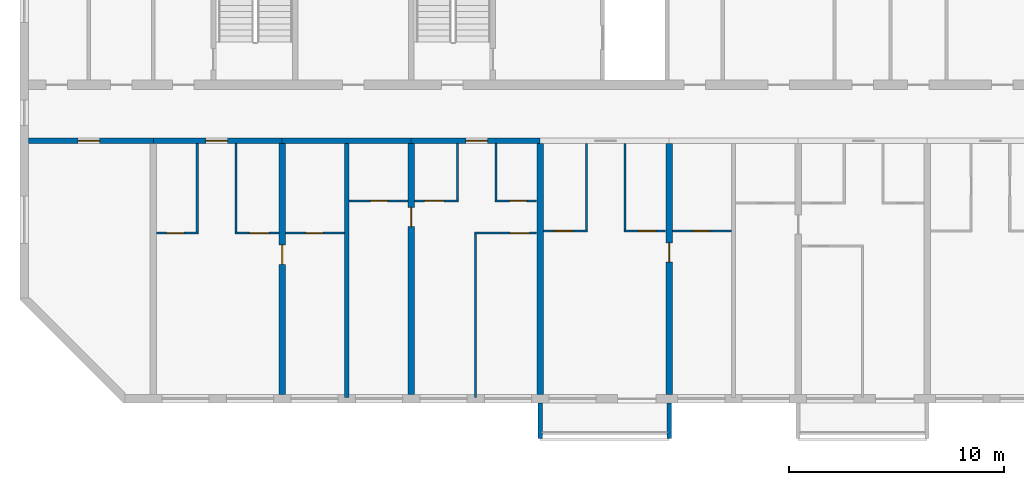
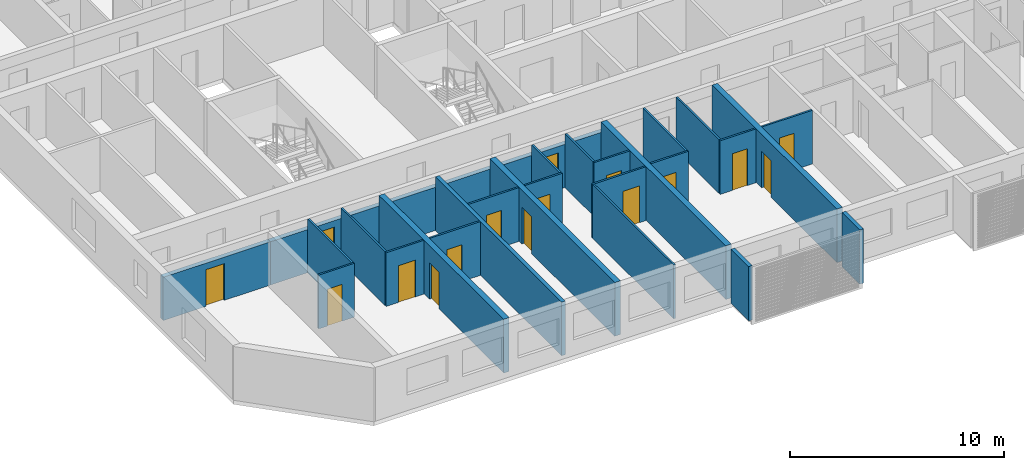
# One storey, part 2 of 32: 28 walls, 16 doors, 16 openings.
"""IFC4 building model written with IfcOpenShell, lengths in metres."""

from ifc_helpers import new_model, si_unit, direction, frame, frame_2d, origin, place, context, subcontext, project, spatial, polyline, rectangle, outline, extrude, source, transform, mapped, material, layer, layer_set, type_object, element, fill, save


model = new_model("IFC4")

# Units and contexts
model_context = context("Model", 3, precision=1e-05, world=origin(), true_north=direction((0.0, 1.0)))
body_context = subcontext(model_context, "Body", "Model", "MODEL_VIEW")
ifc_project = project(units=[si_unit("LENGTHUNIT", "METRE"), si_unit("AREAUNIT", "SQUARE_METRE"), si_unit("VOLUMEUNIT", "CUBIC_METRE"), si_unit("PLANEANGLEUNIT", "RADIAN"), si_unit("MASSUNIT", "GRAM", prefix="KILO")], contexts=[model_context])

# Site, building, storey
site_placement = place(None, origin())
site = spatial("IfcSite", under=ifc_project, at=site_placement, CompositionType="ELEMENT")
building_placement = place(site_placement, origin())
building = spatial("IfcBuilding", under=site, at=building_placement, Name="Poui Terraces", CompositionType="ELEMENT")
storey_placement = place(building_placement, frame((0.0, 0.0, 129.0)))
storey = spatial("IfcBuildingStorey", under=building, at=storey_placement, Name="L35", CompositionType="ELEMENT", Elevation=129.0)

# Wall, opening, door
ifc_material_1 = material(Name="Concrete 65 MPa", Category="concrete")
ifc_layer_1 = layer(ifc_material_1, 0.25)
ifc_layer_set_1 = layer_set([ifc_layer_1], Name="Concrete 65 MPa")
wall_type_1 = type_object("IfcWallType", Name="CORRIDOR WALL 250 65MPa", PredefinedType="SHEAR", material=ifc_layer_set_1)
wall_1_placement = place(storey_placement, frame((12.199951171875, 12.0, 0.0), z_axis=(0.0, 0.0, 1.0), x_axis=(1.0, 0.0, 0.0)))
wall_1 = element("IfcWall", 1, at=wall_1_placement, inside=storey, type_object=wall_type_1, Name="CORRIDOR WALL LINE B BAY 1", PredefinedType="SHEAR", context=body_context, shape_type="SweptSolid", body=[
    extrude(rectangle(XDim=5.800048828125, YDim=0.25, at=frame_2d((2.89990234375, 0.0))), origin(), (0.0, 0.0, 1.0), 2.469970703125),
])
opening_1_placement = place(wall_1_placement, frame((2.300048828125, 0.0, 0.0)))
opening_1 = element("IfcOpeningElement", 2, at=opening_1_placement, cuts=wall_1, Name="Opening D100", PredefinedType="OPENING", context=body_context, shape_type="SweptSolid", body=[
    extrude(rectangle(XDim=1.0, YDim=2.10009765625, at=frame_2d((0.5, 1.050048828125))), frame((0.0, 0.135009765625, 0.0), z_axis=(0.0, -1.0, 0.0), x_axis=(1.0, 0.0, 0.0)), (0.0, 0.0, 1.0), 0.27001953125),
])
ifc_material_2 = material(Name="Solid core timber door", Category="wood")
door_type_1 = type_object("IfcDoorType", Name="ACCESSIBLE INTERNAL DOOR 1000 X 2100", OperationType="NOTDEFINED", PredefinedType="DOOR", material=ifc_material_2)
door_1_placement = place(opening_1_placement, frame((1.0, 0.0, 0.0), z_axis=(0.0, 0.0, 1.0), x_axis=(-1.0, 0.0, 0.0)))
door_1 = element("IfcDoor", 3, at=door_1_placement, inside=storey, type_object=door_type_1, Name="ACCESSIBLE INTERNAL DOOR 078", OperationType="SINGLE_SWING_RIGHT", OverallHeight=2.10009765625, OverallWidth=1.0, PredefinedType="DOOR", context=body_context, shape_type="SweptSolid", body=[
    extrude(rectangle(XDim=1.0, YDim=2.10009765625, at=frame_2d((0.5, 1.050048828125))), frame((0.0, 0.02490234375, 0.0), z_axis=(0.0, -1.0, 0.0), x_axis=(1.0, 0.0, 0.0)), (0.0, 0.0, 1.0), 0.050048828125),
])
fill(opening_1, door_1)

wall_2_placement = place(storey_placement, frame((18.0, 12.0, 0.0), z_axis=(0.0, 0.0, 1.0), x_axis=(1.0, 0.0, 0.0)))
wall_2 = element("IfcWall", 4, at=wall_2_placement, inside=storey, type_object=wall_type_1, Name="CORRIDOR WALL LINE B BAY 2", PredefinedType="SHEAR", context=body_context, shape_type="SweptSolid", body=[
    extrude(rectangle(XDim=6.0, YDim=0.25, at=frame_2d((3.0, 0.0))), origin(), (0.0, 0.0, 1.0), 2.469970703125),
])
opening_2_placement = place(wall_2_placement, frame((2.449951171875, 0.0, 0.0)))
opening_2 = element("IfcOpeningElement", 5, at=opening_2_placement, cuts=wall_2, Name="Opening FD30S", PredefinedType="OPENING", context=body_context, shape_type="SweptSolid", body=[
    extrude(rectangle(XDim=1.0, YDim=2.10009765625, at=frame_2d((0.5, 1.050048828125))), frame((0.0, 0.135009765625, 0.0), z_axis=(0.0, -1.0, 0.0), x_axis=(1.0, 0.0, 0.0)), (0.0, 0.0, 1.0), 0.27001953125),
])
ifc_material_3 = material(Name="Steel fire door", Category="steel")
door_type_2 = type_object("IfcDoorType", Name="FLAT ENTRANCE DOOR 1000 X 2100", OperationType="NOTDEFINED", PredefinedType="DOOR", material=ifc_material_3)
door_2_placement = place(opening_2_placement, frame((1.0, 0.0, 0.0), z_axis=(0.0, 0.0, 1.0), x_axis=(-1.0, 0.0, 0.0)))
door_2 = element("IfcDoor", 6, at=door_2_placement, inside=storey, type_object=door_type_2, Name="FLAT ENTRANCE DOOR 081", OperationType="SINGLE_SWING_RIGHT", OverallHeight=2.10009765625, OverallWidth=1.0, PredefinedType="DOOR", context=body_context, shape_type="SweptSolid", body=[
    extrude(rectangle(XDim=1.0, YDim=2.10009765625, at=frame_2d((0.5, 1.050048828125))), frame((0.0, 0.02490234375, 0.0), z_axis=(0.0, -1.0, 0.0), x_axis=(1.0, 0.0, 0.0)), (0.0, 0.0, 1.0), 0.050048828125),
])
fill(opening_2, door_2)

# Wall
wall_3_placement = place(storey_placement, frame((24.0, 12.0, 0.0), z_axis=(0.0, 0.0, 1.0), x_axis=(1.0, 0.0, 0.0)))
element("IfcWall", 7, at=wall_3_placement, inside=storey, type_object=wall_type_1, Name="CORRIDOR WALL LINE B BAY 3", PredefinedType="SHEAR", context=body_context, shape_type="SweptSolid", body=[
    extrude(rectangle(XDim=6.0, YDim=0.25, at=frame_2d((3.0, 0.0))), origin(), (0.0, 0.0, 1.0), 2.469970703125),
])

# Wall, opening, door
wall_4_placement = place(storey_placement, frame((30.0, 12.0, 0.0), z_axis=(0.0, 0.0, 1.0), x_axis=(1.0, 0.0, 0.0)))
wall_4 = element("IfcWall", 8, at=wall_4_placement, inside=storey, type_object=wall_type_1, Name="CORRIDOR WALL LINE B BAY 4", PredefinedType="SHEAR", context=body_context, shape_type="SweptSolid", body=[
    extrude(rectangle(XDim=6.0, YDim=0.25, at=frame_2d((3.0, 0.0))), origin(), (0.0, 0.0, 1.0), 2.469970703125),
])
opening_3_placement = place(wall_4_placement, frame((2.550048828125, 0.0, 0.0)))
opening_3 = element("IfcOpeningElement", 9, at=opening_3_placement, cuts=wall_4, Name="Opening FD30S", PredefinedType="OPENING", context=body_context, shape_type="SweptSolid", body=[
    extrude(rectangle(XDim=1.0, YDim=2.10009765625, at=frame_2d((0.5, 1.050048828125))), frame((0.0, 0.135009765625, 0.0), z_axis=(0.0, -1.0, 0.0), x_axis=(1.0, 0.0, 0.0)), (0.0, 0.0, 1.0), 0.27001953125),
])
door_3_placement = place(opening_3_placement, frame((1.0, 0.0, 0.0), z_axis=(0.0, 0.0, 1.0), x_axis=(-1.0, 0.0, 0.0)))
door_3 = element("IfcDoor", 10, at=door_3_placement, inside=storey, type_object=door_type_2, Name="FLAT ENTRANCE DOOR 087", OperationType="SINGLE_SWING_LEFT", OverallHeight=2.10009765625, OverallWidth=1.0, PredefinedType="DOOR", context=body_context, shape_type="SweptSolid", body=[
    extrude(rectangle(XDim=1.0, YDim=2.10009765625, at=frame_2d((0.5, 1.050048828125))), frame((0.0, 0.02490234375, 0.0), z_axis=(0.0, -1.0, 0.0), x_axis=(1.0, 0.0, 0.0)), (0.0, 0.0, 1.0), 0.050048828125),
])
fill(opening_3, door_3)

ifc_layer_2 = layer(ifc_material_1, 0.300048828125)
ifc_layer_set_2 = layer_set([ifc_layer_2], Name="Concrete 65 MPa")
wall_type_2 = type_object("IfcWallType", Name="CROSS WALL 300 65MPa", PredefinedType="SHEAR", material=ifc_layer_set_2)
wall_5_placement = place(storey_placement, frame((24.0, 0.199951171875, 0.0), z_axis=(0.0, 0.0, 1.0), x_axis=(0.0, 1.0, 0.0)))
wall_5 = element("IfcWall", 11, at=wall_5_placement, inside=storey, type_object=wall_type_2, Name="CROSS WALL LINE 5 SOUTH", PredefinedType="SHEAR", context=body_context, shape_type="SweptSolid", body=[
    extrude(rectangle(XDim=11.675048828125, YDim=0.300048828125, at=frame_2d((5.83740234375, 0.0))), origin(), (0.0, 0.0, 1.0), 3.070068359375),
])
opening_4_placement = place(wall_5_placement, frame((6.050048828125, 0.0, 0.0)))
opening_4 = element("IfcOpeningElement", 12, at=opening_4_placement, cuts=wall_5, Name="Opening D90", PredefinedType="OPENING", context=body_context, shape_type="SweptSolid", body=[
    extrude(rectangle(XDim=0.89990234375, YDim=2.10009765625, at=frame_2d((0.449951171875, 1.050048828125))), frame((0.0, 0.16015625, 0.0), z_axis=(0.0, -1.0, 0.0), x_axis=(1.0, 0.0, 0.0)), (0.0, 0.0, 1.0), 0.320068359375),
])
door_type_3 = type_object("IfcDoorType", Name="INTERNAL DOOR 900 X 2100", OperationType="NOTDEFINED", PredefinedType="DOOR", material=ifc_material_2)
door_4_placement = place(opening_4_placement, frame((0.89990234375, 0.0, 0.0), z_axis=(0.0, 0.0, 1.0), x_axis=(-1.0, 0.0, 0.0)))
door_4 = element("IfcDoor", 13, at=door_4_placement, inside=storey, type_object=door_type_3, Name="INTERNAL DOOR 083", OperationType="SINGLE_SWING_LEFT", OverallHeight=2.10009765625, OverallWidth=0.89990234375, PredefinedType="DOOR", context=body_context, shape_type="SweptSolid", body=[
    extrude(rectangle(XDim=0.89990234375, YDim=2.10009765625, at=frame_2d((0.449951171875, 1.050048828125))), frame((0.0, 0.02490234375, 0.0), z_axis=(0.0, -1.0, 0.0), x_axis=(1.0, 0.0, 0.0)), (0.0, 0.0, 1.0), 0.050048828125),
])
fill(opening_4, door_4)

wall_6_placement = place(storey_placement, frame((30.0, 0.199951171875, 0.0), z_axis=(0.0, 0.0, 1.0), x_axis=(0.0, 1.0, 0.0)))
wall_6 = element("IfcWall", 14, at=wall_6_placement, inside=storey, type_object=wall_type_2, Name="CROSS WALL LINE 6 SOUTH", PredefinedType="SHEAR", context=body_context, shape_type="SweptSolid", body=[
    extrude(rectangle(XDim=11.675048828125, YDim=0.300048828125, at=frame_2d((5.83740234375, 0.0))), origin(), (0.0, 0.0, 1.0), 3.070068359375),
])
opening_5_placement = place(wall_6_placement, frame((7.800048828125, 0.0, 0.0)))
opening_5 = element("IfcOpeningElement", 15, at=opening_5_placement, cuts=wall_6, Name="Opening D90", PredefinedType="OPENING", context=body_context, shape_type="SweptSolid", body=[
    extrude(rectangle(XDim=0.89990234375, YDim=2.10009765625, at=frame_2d((0.449951171875, 1.050048828125))), frame((0.0, 0.16015625, 0.0), z_axis=(0.0, -1.0, 0.0), x_axis=(1.0, 0.0, 0.0)), (0.0, 0.0, 1.0), 0.320068359375),
])
door_5_placement = place(opening_5_placement, origin())
door_5 = element("IfcDoor", 16, at=door_5_placement, inside=storey, type_object=door_type_3, Name="INTERNAL DOOR 085", OperationType="SINGLE_SWING_RIGHT", OverallHeight=2.10009765625, OverallWidth=0.89990234375, PredefinedType="DOOR", context=body_context, shape_type="SweptSolid", body=[
    extrude(rectangle(XDim=0.89990234375, YDim=2.10009765625, at=frame_2d((0.449951171875, 1.050048828125))), frame((0.0, 0.02490234375, 0.0), z_axis=(0.0, -1.0, 0.0), x_axis=(1.0, 0.0, 0.0)), (0.0, 0.0, 1.0), 0.050048828125),
])
fill(opening_5, door_5)

# Wall
wall_7_placement = place(storey_placement, frame((36.0, 0.199951171875, 0.0), z_axis=(0.0, 0.0, 1.0), x_axis=(0.0, 1.0, 0.0)))
element("IfcWall", 17, at=wall_7_placement, inside=storey, type_object=wall_type_2, Name="CROSS WALL LINE 7 SOUTH", PredefinedType="SHEAR", context=body_context, shape_type="SweptSolid", body=[
    extrude(rectangle(XDim=11.675048828125, YDim=0.300048828125, at=frame_2d((5.83740234375, 0.0))), origin(), (0.0, 0.0, 1.0), 3.070068359375),
])

# Wall, opening, door
wall_8_placement = place(storey_placement, frame((42.0, 0.199951171875, 0.0), z_axis=(0.0, 0.0, 1.0), x_axis=(0.0, 1.0, 0.0)))
wall_8 = element("IfcWall", 18, at=wall_8_placement, inside=storey, type_object=wall_type_2, Name="CROSS WALL LINE 8 SOUTH", PredefinedType="SHEAR", context=body_context, shape_type="SweptSolid", body=[
    extrude(rectangle(XDim=11.675048828125, YDim=0.300048828125, at=frame_2d((5.83740234375, 0.0))), origin(), (0.0, 0.0, 1.0), 3.070068359375),
])
opening_6_placement = place(wall_8_placement, frame((6.14990234375, 0.0, 0.0)))
opening_6 = element("IfcOpeningElement", 19, at=opening_6_placement, cuts=wall_8, Name="Opening D90", PredefinedType="OPENING", context=body_context, shape_type="SweptSolid", body=[
    extrude(rectangle(XDim=0.89990234375, YDim=2.10009765625, at=frame_2d((0.449951171875, 1.050048828125))), frame((0.0, 0.16015625, 0.0), z_axis=(0.0, -1.0, 0.0), x_axis=(1.0, 0.0, 0.0)), (0.0, 0.0, 1.0), 0.320068359375),
])
door_6_placement = place(opening_6_placement, frame((0.89990234375, 0.0, 0.0), z_axis=(0.0, 0.0, 1.0), x_axis=(-1.0, 0.0, 0.0)))
door_6 = element("IfcDoor", 20, at=door_6_placement, inside=storey, type_object=door_type_3, Name="INTERNAL DOOR 094", OperationType="SINGLE_SWING_LEFT", OverallHeight=2.10009765625, OverallWidth=0.89990234375, PredefinedType="DOOR", context=body_context, shape_type="SweptSolid", body=[
    extrude(rectangle(XDim=0.89990234375, YDim=2.10009765625, at=frame_2d((0.449951171875, 1.050048828125))), frame((0.0, 0.02490234375, 0.0), z_axis=(0.0, -1.0, 0.0), x_axis=(1.0, 0.0, 0.0)), (0.0, 0.0, 1.0), 0.050048828125),
])
fill(opening_6, door_6)

ifc_material_4 = material(Name="Plasterboard partition")
ifc_layer_3 = layer(ifc_material_4, 0.10009765625)
ifc_layer_set_3 = layer_set([ifc_layer_3], Name="Plasterboard partition")
wall_type_3 = type_object("IfcWallType", Name="FLAT PARTITION 100", PredefinedType="PARTITIONING", material=ifc_layer_set_3)
wall_9_placement = place(storey_placement, frame((18.159912109375, 7.699951171875, 0.0), z_axis=(0.0, 0.0, 1.0), x_axis=(1.0, 0.0, 0.0)))
wall_9 = element("IfcWall", 21, at=wall_9_placement, inside=storey, type_object=wall_type_3, Name="FLAT PARTITION 100", PredefinedType="PARTITIONING", context=body_context, shape_type="SweptSolid", body=[
    extrude(rectangle(XDim=1.940185546875, YDim=0.10009765625, at=frame_2d((0.97021484375, 0.0))), origin(), (0.0, 0.0, 1.0), 3.070068359375),
])
opening_7_placement = place(wall_9_placement, frame((0.465087890625, 0.0, 0.0)))
opening_7 = element("IfcOpeningElement", 22, at=opening_7_placement, cuts=wall_9, Name="Opening D80", PredefinedType="OPENING", context=body_context, shape_type="SweptSolid", body=[
    extrude(rectangle(XDim=0.800048828125, YDim=2.10009765625, at=frame_2d((0.39990234375, 1.050048828125))), frame((0.0, 0.06005859375, 0.0), z_axis=(0.0, -1.0, 0.0), x_axis=(1.0, 0.0, 0.0)), (0.0, 0.0, 1.0), 0.1201171875),
])
door_type_4 = type_object("IfcDoorType", Name="BATHROOM, LAUNDRY AND STORE DOOR 800 X 2100", OperationType="NOTDEFINED", PredefinedType="DOOR", material=ifc_material_2)
door_7_placement = place(opening_7_placement, origin())
door_7 = element("IfcDoor", 23, at=door_7_placement, inside=storey, type_object=door_type_4, Name="BATHROOM, LAUNDRY AND STORE DOOR 080", OperationType="SINGLE_SWING_LEFT", OverallHeight=2.10009765625, OverallWidth=0.800048828125, PredefinedType="DOOR", context=body_context, shape_type="SweptSolid", body=[
    extrude(rectangle(XDim=0.800048828125, YDim=2.10009765625, at=frame_2d((0.39990234375, 1.050048828125))), frame((0.0, 0.02490234375, 0.0), z_axis=(0.0, -1.0, 0.0), x_axis=(1.0, 0.0, 0.0)), (0.0, 0.0, 1.0), 0.050048828125),
])
fill(opening_7, door_7)

wall_10_placement = place(storey_placement, frame((21.800048828125, 7.699951171875, 0.0), z_axis=(0.0, 0.0, 1.0), x_axis=(1.0, 0.0, 0.0)))
wall_10 = element("IfcWall", 24, at=wall_10_placement, inside=storey, type_object=wall_type_3, Name="FLAT PARTITION 100", PredefinedType="PARTITIONING", context=body_context, shape_type="SweptSolid", body=[
    extrude(rectangle(XDim=2.0400390625, YDim=0.10009765625, at=frame_2d((1.02001953125, 0.0))), origin(), (0.0, 0.0, 1.0), 3.070068359375),
])
opening_8_placement = place(wall_10_placement, frame((0.675048828125, 0.0, 0.0)))
opening_8 = element("IfcOpeningElement", 25, at=opening_8_placement, cuts=wall_10, Name="Opening D90", PredefinedType="OPENING", context=body_context, shape_type="SweptSolid", body=[
    extrude(rectangle(XDim=0.89990234375, YDim=2.10009765625, at=frame_2d((0.449951171875, 1.050048828125))), frame((0.0, 0.06005859375, 0.0), z_axis=(0.0, -1.0, 0.0), x_axis=(1.0, 0.0, 0.0)), (0.0, 0.0, 1.0), 0.1201171875),
])
door_8_placement = place(opening_8_placement, origin())
door_8 = element("IfcDoor", 26, at=door_8_placement, inside=storey, type_object=door_type_3, Name="INTERNAL DOOR 082", OperationType="SINGLE_SWING_RIGHT", OverallHeight=2.10009765625, OverallWidth=0.89990234375, PredefinedType="DOOR", context=body_context, shape_type="SweptSolid", body=[
    extrude(rectangle(XDim=0.89990234375, YDim=2.10009765625, at=frame_2d((0.449951171875, 1.050048828125))), frame((0.0, 0.02490234375, 0.0), z_axis=(0.0, -1.0, 0.0), x_axis=(1.0, 0.0, 0.0)), (0.0, 0.0, 1.0), 0.050048828125),
])
fill(opening_8, door_8)

wall_11_placement = place(storey_placement, frame((24.159912109375, 7.699951171875, 0.0), z_axis=(0.0, 0.0, 1.0), x_axis=(1.0, 0.0, 0.0)))
wall_11 = element("IfcWall", 27, at=wall_11_placement, inside=storey, type_object=wall_type_3, Name="FLAT PARTITION 100", PredefinedType="PARTITIONING", context=body_context, shape_type="SweptSolid", body=[
    extrude(rectangle(XDim=2.739990234375, YDim=0.10009765625, at=frame_2d((1.3701171875, 0.0))), origin(), (0.0, 0.0, 1.0), 3.070068359375),
])
opening_9_placement = place(wall_11_placement, frame((0.93994140625, 0.0, 0.0)))
opening_9 = element("IfcOpeningElement", 28, at=opening_9_placement, cuts=wall_11, Name="Opening D80", PredefinedType="OPENING", context=body_context, shape_type="SweptSolid", body=[
    extrude(rectangle(XDim=0.800048828125, YDim=2.10009765625, at=frame_2d((0.39990234375, 1.050048828125))), frame((0.0, 0.06005859375, 0.0), z_axis=(0.0, -1.0, 0.0), x_axis=(1.0, 0.0, 0.0)), (0.0, 0.0, 1.0), 0.1201171875),
])
door_9_placement = place(opening_9_placement, origin())
door_9 = element("IfcDoor", 29, at=door_9_placement, inside=storey, type_object=door_type_4, Name="BATHROOM, LAUNDRY AND STORE DOOR 079", OperationType="SINGLE_SWING_RIGHT", OverallHeight=2.10009765625, OverallWidth=0.800048828125, PredefinedType="DOOR", context=body_context, shape_type="SweptSolid", body=[
    extrude(rectangle(XDim=0.800048828125, YDim=2.10009765625, at=frame_2d((0.39990234375, 1.050048828125))), frame((0.0, 0.02490234375, 0.0), z_axis=(0.0, -1.0, 0.0), x_axis=(1.0, 0.0, 0.0)), (0.0, 0.0, 1.0), 0.050048828125),
])
fill(opening_9, door_9)

wall_12_placement = place(storey_placement, frame((32.949951171875, 7.699951171875, 0.0), z_axis=(0.0, 0.0, 1.0), x_axis=(1.0, 0.0, 0.0)))
wall_12 = element("IfcWall", 30, at=wall_12_placement, inside=storey, type_object=wall_type_3, Name="FLAT PARTITION 100", PredefinedType="PARTITIONING", context=body_context, shape_type="SweptSolid", body=[
    extrude(rectangle(XDim=2.89013671875, YDim=0.10009765625, at=frame_2d((1.445068359375, 0.0))), origin(), (0.0, 0.0, 1.0), 3.070068359375),
])
opening_10_placement = place(wall_12_placement, frame((1.64990234375, 0.0, 0.0)))
opening_10 = element("IfcOpeningElement", 31, at=opening_10_placement, cuts=wall_12, Name="Opening D90", PredefinedType="OPENING", context=body_context, shape_type="SweptSolid", body=[
    extrude(rectangle(XDim=0.89990234375, YDim=2.10009765625, at=frame_2d((0.449951171875, 1.050048828125))), frame((0.0, 0.06005859375, 0.0), z_axis=(0.0, -1.0, 0.0), x_axis=(1.0, 0.0, 0.0)), (0.0, 0.0, 1.0), 0.1201171875),
])
door_10_placement = place(opening_10_placement, origin())
door_10 = element("IfcDoor", 32, at=door_10_placement, inside=storey, type_object=door_type_3, Name="INTERNAL DOOR 089", OperationType="SINGLE_SWING_LEFT", OverallHeight=2.10009765625, OverallWidth=0.89990234375, PredefinedType="DOOR", context=body_context, shape_type="SweptSolid", body=[
    extrude(rectangle(XDim=0.89990234375, YDim=2.10009765625, at=frame_2d((0.449951171875, 1.050048828125))), frame((0.0, 0.02490234375, 0.0), z_axis=(0.0, -1.0, 0.0), x_axis=(1.0, 0.0, 0.0)), (0.0, 0.0, 1.0), 0.050048828125),
])
fill(opening_10, door_10)

wall_13_placement = place(storey_placement, frame((36.159912109375, 7.800048828125, 0.0), z_axis=(0.0, 0.0, 1.0), x_axis=(1.0, 0.0, 0.0)))
wall_13 = element("IfcWall", 33, at=wall_13_placement, inside=storey, type_object=wall_type_3, Name="FLAT PARTITION 100", PredefinedType="PARTITIONING", context=body_context, shape_type="SweptSolid", body=[
    extrude(rectangle(XDim=2.0400390625, YDim=0.10009765625, at=frame_2d((1.02001953125, 0.0))), origin(), (0.0, 0.0, 1.0), 3.070068359375),
])
opening_11_placement = place(wall_13_placement, frame((0.465087890625, 0.0, 0.0)))
opening_11 = element("IfcOpeningElement", 34, at=opening_11_placement, cuts=wall_13, Name="Opening D90", PredefinedType="OPENING", context=body_context, shape_type="SweptSolid", body=[
    extrude(rectangle(XDim=0.89990234375, YDim=2.10009765625, at=frame_2d((0.449951171875, 1.050048828125))), frame((0.0, 0.06005859375, 0.0), z_axis=(0.0, -1.0, 0.0), x_axis=(1.0, 0.0, 0.0)), (0.0, 0.0, 1.0), 0.1201171875),
])
door_11_placement = place(opening_11_placement, origin())
door_11 = element("IfcDoor", 35, at=door_11_placement, inside=storey, type_object=door_type_3, Name="INTERNAL DOOR 091", OperationType="SINGLE_SWING_LEFT", OverallHeight=2.10009765625, OverallWidth=0.89990234375, PredefinedType="DOOR", context=body_context, shape_type="SweptSolid", body=[
    extrude(rectangle(XDim=0.89990234375, YDim=2.10009765625, at=frame_2d((0.449951171875, 1.050048828125))), frame((0.0, 0.02490234375, 0.0), z_axis=(0.0, -1.0, 0.0), x_axis=(1.0, 0.0, 0.0)), (0.0, 0.0, 1.0), 0.050048828125),
])
fill(opening_11, door_11)

wall_14_placement = place(storey_placement, frame((39.89990234375, 7.800048828125, 0.0), z_axis=(0.0, 0.0, 1.0), x_axis=(1.0, 0.0, 0.0)))
wall_14 = element("IfcWall", 36, at=wall_14_placement, inside=storey, type_object=wall_type_3, Name="FLAT PARTITION 100", PredefinedType="PARTITIONING", context=body_context, shape_type="SweptSolid", body=[
    extrude(rectangle(XDim=1.940185546875, YDim=0.10009765625, at=frame_2d((0.97021484375, 0.0))), origin(), (0.0, 0.0, 1.0), 3.070068359375),
])
opening_12_placement = place(wall_14_placement, frame((0.675048828125, 0.0, 0.0)))
opening_12 = element("IfcOpeningElement", 37, at=opening_12_placement, cuts=wall_14, Name="Opening D80", PredefinedType="OPENING", context=body_context, shape_type="SweptSolid", body=[
    extrude(rectangle(XDim=0.800048828125, YDim=2.10009765625, at=frame_2d((0.39990234375, 1.050048828125))), frame((0.0, 0.06005859375, 0.0), z_axis=(0.0, -1.0, 0.0), x_axis=(1.0, 0.0, 0.0)), (0.0, 0.0, 1.0), 0.1201171875),
])
door_12_placement = place(opening_12_placement, origin())
door_12 = element("IfcDoor", 38, at=door_12_placement, inside=storey, type_object=door_type_4, Name="BATHROOM, LAUNDRY AND STORE DOOR 093", OperationType="SINGLE_SWING_RIGHT", OverallHeight=2.10009765625, OverallWidth=0.800048828125, PredefinedType="DOOR", context=body_context, shape_type="SweptSolid", body=[
    extrude(rectangle(XDim=0.800048828125, YDim=2.10009765625, at=frame_2d((0.39990234375, 1.050048828125))), frame((0.0, 0.02490234375, 0.0), z_axis=(0.0, -1.0, 0.0), x_axis=(1.0, 0.0, 0.0)), (0.0, 0.0, 1.0), 0.050048828125),
])
fill(opening_12, door_12)

wall_15_placement = place(storey_placement, frame((42.159912109375, 7.800048828125, 0.0), z_axis=(0.0, 0.0, 1.0), x_axis=(1.0, 0.0, 0.0)))
wall_15 = element("IfcWall", 39, at=wall_15_placement, inside=storey, type_object=wall_type_3, Name="FLAT PARTITION 100", PredefinedType="PARTITIONING", context=body_context, shape_type="SweptSolid", body=[
    extrude(rectangle(XDim=2.739990234375, YDim=0.10009765625, at=frame_2d((1.3701171875, 0.0))), origin(), (0.0, 0.0, 1.0), 3.070068359375),
])
opening_13_placement = place(wall_15_placement, frame((0.93994140625, 0.0, 0.0)))
opening_13 = element("IfcOpeningElement", 40, at=opening_13_placement, cuts=wall_15, Name="Opening D80", PredefinedType="OPENING", context=body_context, shape_type="SweptSolid", body=[
    extrude(rectangle(XDim=0.800048828125, YDim=2.10009765625, at=frame_2d((0.39990234375, 1.050048828125))), frame((0.0, 0.06005859375, 0.0), z_axis=(0.0, -1.0, 0.0), x_axis=(1.0, 0.0, 0.0)), (0.0, 0.0, 1.0), 0.1201171875),
])
door_13_placement = place(opening_13_placement, origin())
door_13 = element("IfcDoor", 41, at=door_13_placement, inside=storey, type_object=door_type_4, Name="BATHROOM, LAUNDRY AND STORE DOOR 090", OperationType="SINGLE_SWING_RIGHT", OverallHeight=2.10009765625, OverallWidth=0.800048828125, PredefinedType="DOOR", context=body_context, shape_type="SweptSolid", body=[
    extrude(rectangle(XDim=0.800048828125, YDim=2.10009765625, at=frame_2d((0.39990234375, 1.050048828125))), frame((0.0, 0.02490234375, 0.0), z_axis=(0.0, -1.0, 0.0), x_axis=(1.0, 0.0, 0.0)), (0.0, 0.0, 1.0), 0.050048828125),
])
fill(opening_13, door_13)

wall_16_placement = place(storey_placement, frame((27.10009765625, 9.199951171875, 0.0), z_axis=(0.0, 0.0, 1.0), x_axis=(1.0, 0.0, 0.0)))
wall_16 = element("IfcWall", 42, at=wall_16_placement, inside=storey, type_object=wall_type_3, Name="FLAT PARTITION 100", PredefinedType="PARTITIONING", context=body_context, shape_type="SweptSolid", body=[
    extrude(rectangle(XDim=2.739990234375, YDim=0.10009765625, at=frame_2d((1.3701171875, 0.0))), origin(), (0.0, 0.0, 1.0), 3.070068359375),
])
opening_14_placement = place(wall_16_placement, frame((1.0, 0.0, 0.0)))
opening_14 = element("IfcOpeningElement", 43, at=opening_14_placement, cuts=wall_16, Name="Opening D80", PredefinedType="OPENING", context=body_context, shape_type="SweptSolid", body=[
    extrude(rectangle(XDim=0.800048828125, YDim=2.10009765625, at=frame_2d((0.39990234375, 1.050048828125))), frame((0.0, 0.06005859375, 0.0), z_axis=(0.0, -1.0, 0.0), x_axis=(1.0, 0.0, 0.0)), (0.0, 0.0, 1.0), 0.1201171875),
])
door_14_placement = place(opening_14_placement, origin())
door_14 = element("IfcDoor", 44, at=door_14_placement, inside=storey, type_object=door_type_4, Name="BATHROOM, LAUNDRY AND STORE DOOR 084", OperationType="SINGLE_SWING_LEFT", OverallHeight=2.10009765625, OverallWidth=0.800048828125, PredefinedType="DOOR", context=body_context, shape_type="SweptSolid", body=[
    extrude(rectangle(XDim=0.800048828125, YDim=2.10009765625, at=frame_2d((0.39990234375, 1.050048828125))), frame((0.0, 0.02490234375, 0.0), z_axis=(0.0, -1.0, 0.0), x_axis=(1.0, 0.0, 0.0)), (0.0, 0.0, 1.0), 0.050048828125),
])
fill(opening_14, door_14)

wall_17_placement = place(storey_placement, frame((30.159912109375, 9.199951171875, 0.0), z_axis=(0.0, 0.0, 1.0), x_axis=(1.0, 0.0, 0.0)))
wall_17 = element("IfcWall", 45, at=wall_17_placement, inside=storey, type_object=wall_type_3, Name="FLAT PARTITION 100", PredefinedType="PARTITIONING", context=body_context, shape_type="SweptSolid", body=[
    extrude(rectangle(XDim=2.0400390625, YDim=0.10009765625, at=frame_2d((1.02001953125, 0.0))), origin(), (0.0, 0.0, 1.0), 3.070068359375),
])
opening_15_placement = place(wall_17_placement, frame((0.465087890625, 0.0, 0.0)))
opening_15 = element("IfcOpeningElement", 46, at=opening_15_placement, cuts=wall_17, Name="Opening D90", PredefinedType="OPENING", context=body_context, shape_type="SweptSolid", body=[
    extrude(rectangle(XDim=0.89990234375, YDim=2.10009765625, at=frame_2d((0.449951171875, 1.050048828125))), frame((0.0, 0.06005859375, 0.0), z_axis=(0.0, -1.0, 0.0), x_axis=(1.0, 0.0, 0.0)), (0.0, 0.0, 1.0), 0.1201171875),
])
door_15_placement = place(opening_15_placement, origin())
door_15 = element("IfcDoor", 47, at=door_15_placement, inside=storey, type_object=door_type_3, Name="INTERNAL DOOR 086", OperationType="SINGLE_SWING_LEFT", OverallHeight=2.10009765625, OverallWidth=0.89990234375, PredefinedType="DOOR", context=body_context, shape_type="SweptSolid", body=[
    extrude(rectangle(XDim=0.89990234375, YDim=2.10009765625, at=frame_2d((0.449951171875, 1.050048828125))), frame((0.0, 0.02490234375, 0.0), z_axis=(0.0, -1.0, 0.0), x_axis=(1.0, 0.0, 0.0)), (0.0, 0.0, 1.0), 0.050048828125),
])
fill(opening_15, door_15)

wall_18_placement = place(storey_placement, frame((33.89990234375, 9.199951171875, 0.0), z_axis=(0.0, 0.0, 1.0), x_axis=(1.0, 0.0, 0.0)))
wall_18 = element("IfcWall", 48, at=wall_18_placement, inside=storey, type_object=wall_type_3, Name="FLAT PARTITION 100", PredefinedType="PARTITIONING", context=body_context, shape_type="SweptSolid", body=[
    extrude(rectangle(XDim=1.940185546875, YDim=0.10009765625, at=frame_2d((0.97021484375, 0.0))), origin(), (0.0, 0.0, 1.0), 3.070068359375),
])
opening_16_placement = place(wall_18_placement, frame((0.675048828125, 0.0, 0.0)))
opening_16 = element("IfcOpeningElement", 49, at=opening_16_placement, cuts=wall_18, Name="Opening D80", PredefinedType="OPENING", context=body_context, shape_type="SweptSolid", body=[
    extrude(rectangle(XDim=0.800048828125, YDim=2.10009765625, at=frame_2d((0.39990234375, 1.050048828125))), frame((0.0, 0.06005859375, 0.0), z_axis=(0.0, -1.0, 0.0), x_axis=(1.0, 0.0, 0.0)), (0.0, 0.0, 1.0), 0.1201171875),
])
door_16_placement = place(opening_16_placement, origin())
door_16 = element("IfcDoor", 50, at=door_16_placement, inside=storey, type_object=door_type_4, Name="BATHROOM, LAUNDRY AND STORE DOOR 088", OperationType="SINGLE_SWING_RIGHT", OverallHeight=2.10009765625, OverallWidth=0.800048828125, PredefinedType="DOOR", context=body_context, shape_type="SweptSolid", body=[
    extrude(rectangle(XDim=0.800048828125, YDim=2.10009765625, at=frame_2d((0.39990234375, 1.050048828125))), frame((0.0, 0.02490234375, 0.0), z_axis=(0.0, -1.0, 0.0), x_axis=(1.0, 0.0, 0.0)), (0.0, 0.0, 1.0), 0.050048828125),
])
fill(opening_16, door_16)

# Walls
for number, where, z_axis, x_axis, name in (
    (51, (20.050048828125, 7.75, 0.0), (0.0, 0.0, 1.0), (0.0, 1.0, 0.0), "FLAT PARTITION 100"),
    (52, (21.85009765625, 7.75, 0.0), (0.0, 0.0, 1.0), (0.0, 1.0, 0.0), "FLAT PARTITION 100"),
):
    element("IfcWall", number, at=place(storey_placement, frame(where, z_axis=z_axis, x_axis=x_axis)), inside=storey, type_object=wall_type_3, Name=name, PredefinedType="PARTITIONING", context=body_context, shape_type="SweptSolid", body=[
        extrude(rectangle(XDim=4.114990234375, YDim=0.10009765625, at=frame_2d((2.0576171875, 0.0))), origin(), (0.0, 0.0, 1.0), 3.070068359375),
    ])
wall_19_placement = place(storey_placement, frame((32.14990234375, 9.25, 0.0), z_axis=(0.0, 0.0, 1.0), x_axis=(0.0, 1.0, 0.0)))
element("IfcWall", 53, at=wall_19_placement, inside=storey, type_object=wall_type_3, Name="FLAT PARTITION 100", PredefinedType="PARTITIONING", context=body_context, shape_type="SweptSolid", body=[
    extrude(rectangle(XDim=2.614990234375, YDim=0.10009765625, at=frame_2d((1.3076171875, 0.0))), origin(), (0.0, 0.0, 1.0), 3.070068359375),
])
wall_20_placement = place(storey_placement, frame((33.0, 0.06005859375, 0.0), z_axis=(0.0, 0.0, 1.0), x_axis=(0.0, 1.0, 0.0)))
element("IfcWall", 54, at=wall_20_placement, inside=storey, type_object=wall_type_3, Name="FLAT PARTITION 100", PredefinedType="PARTITIONING", context=body_context, shape_type="SweptSolid", body=[
    extrude(rectangle(XDim=7.58984375, YDim=0.10009765625, at=frame_2d((3.794921875, 0.0))), origin(), (0.0, 0.0, 1.0), 3.070068359375),
])
wall_21_placement = place(storey_placement, frame((33.949951171875, 9.25, 0.0), z_axis=(0.0, 0.0, 1.0), x_axis=(0.0, 1.0, 0.0)))
element("IfcWall", 55, at=wall_21_placement, inside=storey, type_object=wall_type_3, Name="FLAT PARTITION 100", PredefinedType="PARTITIONING", context=body_context, shape_type="SweptSolid", body=[
    extrude(rectangle(XDim=2.614990234375, YDim=0.10009765625, at=frame_2d((1.3076171875, 0.0))), origin(), (0.0, 0.0, 1.0), 3.070068359375),
])
for number, where, z_axis, x_axis, name in (
    (56, (38.14990234375, 7.85009765625, 0.0), (0.0, 0.0, 1.0), (0.0, 1.0, 0.0), "FLAT PARTITION 100"),
    (57, (39.949951171875, 7.85009765625, 0.0), (0.0, 0.0, 1.0), (0.0, 1.0, 0.0), "FLAT PARTITION 100"),
):
    element("IfcWall", number, at=place(storey_placement, frame(where, z_axis=z_axis, x_axis=x_axis)), inside=storey, type_object=wall_type_3, Name=name, PredefinedType="PARTITIONING", context=body_context, shape_type="SweptSolid", body=[
        extrude(rectangle(XDim=4.014892578125, YDim=0.10009765625, at=frame_2d((2.00732421875, 0.0))), origin(), (0.0, 0.0, 1.0), 3.070068359375),
    ])
ifc_material_5 = material(Name="Fire-rated masonry wall", Category="masonry")
ifc_layer_4 = layer(ifc_material_5, 0.199951171875)
ifc_layer_set_4 = layer_set([ifc_layer_4], Name="Fire-rated masonry wall")
wall_type_4 = type_object("IfcWallType", Name="FLAT PARTY WALL 200", PredefinedType="PARTITIONING", material=ifc_layer_set_4)
wall_22_placement = place(storey_placement, frame((27.0, 0.06005859375, 0.0), z_axis=(0.0, 0.0, 1.0), x_axis=(0.0, 1.0, 0.0)))
element("IfcWall", 58, at=wall_22_placement, inside=storey, type_object=wall_type_4, Name="FLAT PARTY WALL 200", PredefinedType="PARTITIONING", context=body_context, shape_type="SweptSolid", body=[
    extrude(rectangle(XDim=11.804931640625, YDim=0.199951171875, at=frame_2d((5.90234375, 0.0))), origin(), (0.0, 0.0, 1.0), 3.070068359375),
])
ifc_material_6 = material(Name="Precast concrete 40 MPa", Category="concrete")
ifc_layer_5 = layer(ifc_material_6, 0.199951171875)
ifc_layer_set_5 = layer_set([ifc_layer_5], Name="Precast concrete 40 MPa")
wall_type_5 = type_object("IfcWallType", Name="REAR FIN 200", PredefinedType="STANDARD", material=ifc_layer_set_5)
shared_shape = source(origin(), body_context, "Body", "SweptSolid", [
    extrude(outline(polyline([(0.0, 0.0), (0.2001953125, 0.0), (0.2001953125, 1.650146484375), (0.0, 1.650146484375), (0.0, 0.0)])), origin(), (0.0, 0.0, 1.0), 3.10009765625),
])
for number, where, name in (
    (59, (35.89990234375, -1.85009765625, 0.0), "REAR FIN"),
    (60, (41.89990234375, -1.85009765625, 0.0), "REAR FIN"),
):
    element("IfcWall", number, at=place(storey_placement, frame(where)), inside=storey, type_object=wall_type_5, Name=name, PredefinedType="STANDARD", context=body_context, shape_type="MappedRepresentation", body=[
        mapped(shared_shape, transform((0.0, 0.0, 0.0))),
    ])

save(model, "model.ifc")
